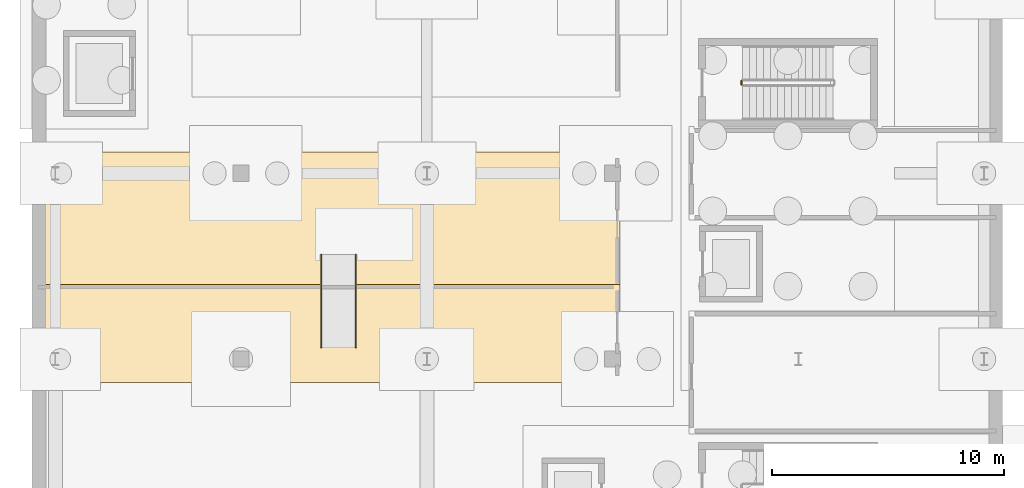
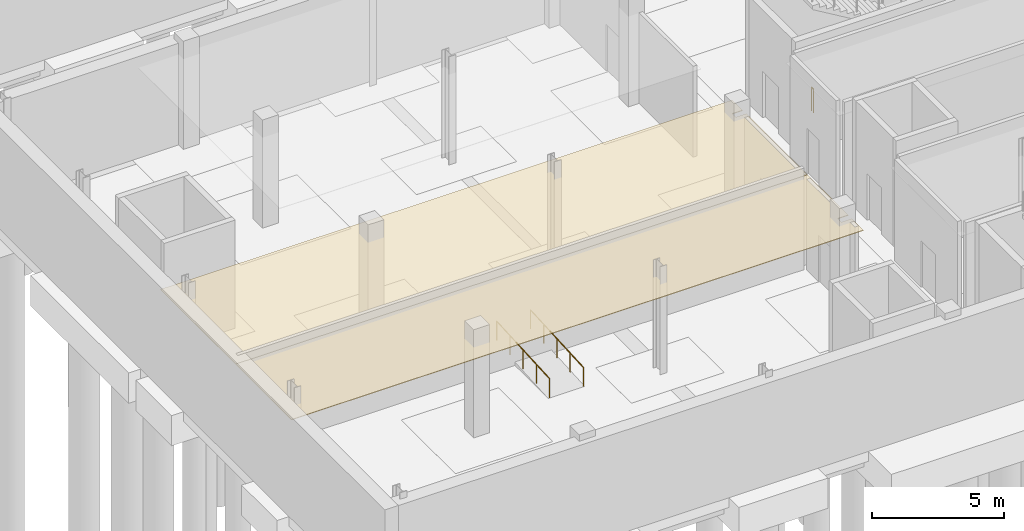
# One storey, part 36 of 47: 3 railings, 2 coverings.
"""IFC4 building model written with IfcOpenShell, lengths in metres."""

from ifc_helpers import new_model, si_unit, direction, frame, origin, origin_2d, place, context, subcontext, project, spatial, polyline, circle, outline, extrude, material, layer, layer_set, type_object, element, save


model = new_model("IFC4")

# Units and contexts
model_context = context("Model", 3, precision=1e-05, world=origin(), true_north=direction((0.0, 1.0)))
body_context = subcontext(model_context, "Body", "Model", "MODEL_VIEW")
ifc_project = project(units=[si_unit("LENGTHUNIT", "METRE"), si_unit("AREAUNIT", "SQUARE_METRE"), si_unit("VOLUMEUNIT", "CUBIC_METRE"), si_unit("PLANEANGLEUNIT", "RADIAN"), si_unit("MASSUNIT", "GRAM", prefix="KILO")], contexts=[model_context])

# Site, building, storey
site_placement = place(None, origin())
site = spatial("IfcSite", under=ifc_project, at=site_placement, CompositionType="ELEMENT")
building_placement = place(site_placement, origin())
building = spatial("IfcBuilding", under=site, at=building_placement, Name="Cymarion Research Institute", CompositionType="ELEMENT")
storey_placement = place(building_placement, frame((0.0, 0.0, -5.0)))
storey = spatial("IfcBuildingStorey", under=building, at=storey_placement, Name="B1", CompositionType="ELEMENT", Elevation=-5.0)

# Coverings
ifc_material_1 = material(Name="Micro-perforated mineral acoustic ceiling tile", Category="gypsum")
ifc_layer = layer(ifc_material_1, 0.030029296875)
ifc_layer_set = layer_set([ifc_layer], Name="Micro-perforated mineral acoustic ceiling tile")
covering_type = type_object("IfcCoveringType", Name="ACOUSTIC MICRO-PERFORATED SUSPENDED CEILING CLG-01", PredefinedType="CEILING", material=ifc_layer_set)
covering_1_placement = place(storey_placement, frame((0.0, 0.0, 4.14990234375)))
element("IfcCovering", 1, at=covering_1_placement, inside=storey, type_object=covering_type, Name="B1 B1 Cleanroom Gowning & Pressure Cascade Airlock acoustic ceiling", PredefinedType="CEILING", context=body_context, shape_type="SweptSolid", body=[
    extrude(outline(polyline([(30.465087890625, 55.635009765625), (30.465087890625, 55.364990234375), (30.9150390625, 55.364990234375), (30.9150390625, 54.485107421875), (5.905029296875, 54.485107421875), (5.905029296875, 58.715087890625), (30.9150390625, 58.715087890625), (30.9150390625, 55.635009765625), (30.465087890625, 55.635009765625)])), origin(), (0.0, 0.0, 1.0), 0.030029296875),
])
covering_2_placement = place(storey_placement, frame((0.0, 0.0, 4.14990234375)))
element("IfcCovering", 2, at=covering_2_placement, inside=storey, type_object=covering_type, Name="B1 B1 ISO Class 6 Nanofabrication & Lithography Cleanroom acoustic ceiling", PredefinedType="CEILING", context=body_context, shape_type="SweptSolid", body=[
    extrude(outline(polyline([(30.465087890625, 63.635009765625), (30.465087890625, 63.364990234375), (30.9150390625, 63.364990234375), (30.9150390625, 58.485107421875), (5.905029296875, 58.485107421875), (5.905029296875, 64.4150390625), (30.9150390625, 64.4150390625), (30.9150390625, 63.635009765625), (30.465087890625, 63.635009765625)])), origin(), (0.0, 0.0, 1.0), 0.030029296875),
])

# Railings
ifc_material_2 = material(Name="Steel S355", Category="steel")
railing_type_1 = type_object("IfcRailingType", Name="PAINTED STEEL STAIR GUARDRAIL GR1 1100MM", PredefinedType="GUARDRAIL", material=ifc_material_2)
railing_placement = place(storey_placement, frame((36.14990234375, 67.320068359375, 0.0)))
element("IfcRailing", 3, at=railing_placement, inside=storey, type_object=railing_type_1, Name="B1 ST8 stair guard 4", PredefinedType="GUARDRAIL", context=body_context, shape_type="SweptSolid", body=[
    extrude(circle(Radius=0.02392578125, at=origin_2d()), frame((0.0, 0.0, 1.076171875), z_axis=(0.0, 1.0, 0.0), x_axis=(-1.0, 0.0, 0.0)), (0.0, 0.0, 1.0), 0.159912109375),
    extrude(circle(Radius=0.02099609375, at=origin_2d()), origin(), (0.0, 0.0, 1.0), 1.052001953125),
    extrude(circle(Radius=0.02099609375, at=origin_2d()), frame((0.0, 0.159912109375, 0.0)), (0.0, 0.0, 1.0), 1.052001953125),
])
railing_type_2 = type_object("IfcRailingType", Name="STAINLESS STEEL RAMP HANDRAIL HR-RMP", PredefinedType="HANDRAIL", material=ifc_material_2)
for number, where, name in (
    (4, (18.06005859375, 56.0, 0.02001953125), "Ramp R5 stainless handrail 1"),
    (5, (19.5400390625, 56.0, 0.02001953125), "Ramp R5 stainless handrail 2"),
):
    element("IfcRailing", number, at=place(storey_placement, frame(where)), inside=storey, type_object=railing_type_2, Name=name, PredefinedType="HANDRAIL", context=body_context, shape_type="SweptSolid", body=[
        extrude(circle(Radius=0.02392578125, at=origin_2d()), frame((0.0, 0.0, 0.8759765625), z_axis=(0.0, 0.998351242335, 0.057400321672), x_axis=(-1.0, 0.0, 0.0)), (0.0, 0.0, 1.0), 4.006591796875),
        extrude(circle(Radius=0.02099609375, at=origin_2d()), origin(), (0.0, 0.0, 1.0), 0.851806640625),
        extrude(circle(Radius=0.02099609375, at=origin_2d()), frame((0.0, 1.0, 0.0576171875)), (0.0, 0.0, 1.0), 0.851806640625),
        extrude(circle(Radius=0.02099609375, at=origin_2d()), frame((0.0, 2.0, 0.114990234375)), (0.0, 0.0, 1.0), 0.851806640625),
        extrude(circle(Radius=0.02099609375, at=origin_2d()), frame((0.0, 3.0, 0.17236328125)), (0.0, 0.0, 1.0), 0.851806640625),
        extrude(circle(Radius=0.02099609375, at=origin_2d()), frame((0.0, 4.0, 0.22998046875)), (0.0, 0.0, 1.0), 0.851806640625),
    ])

save(model, "model.ifc")
